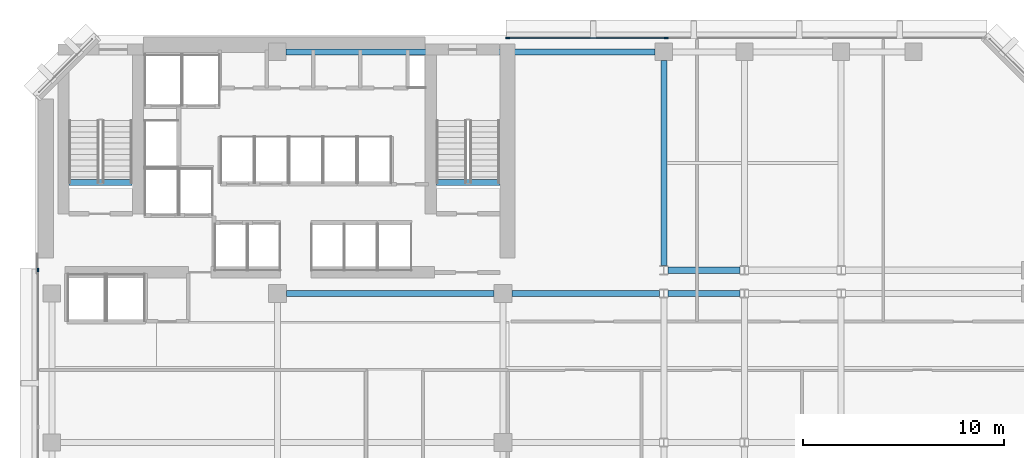
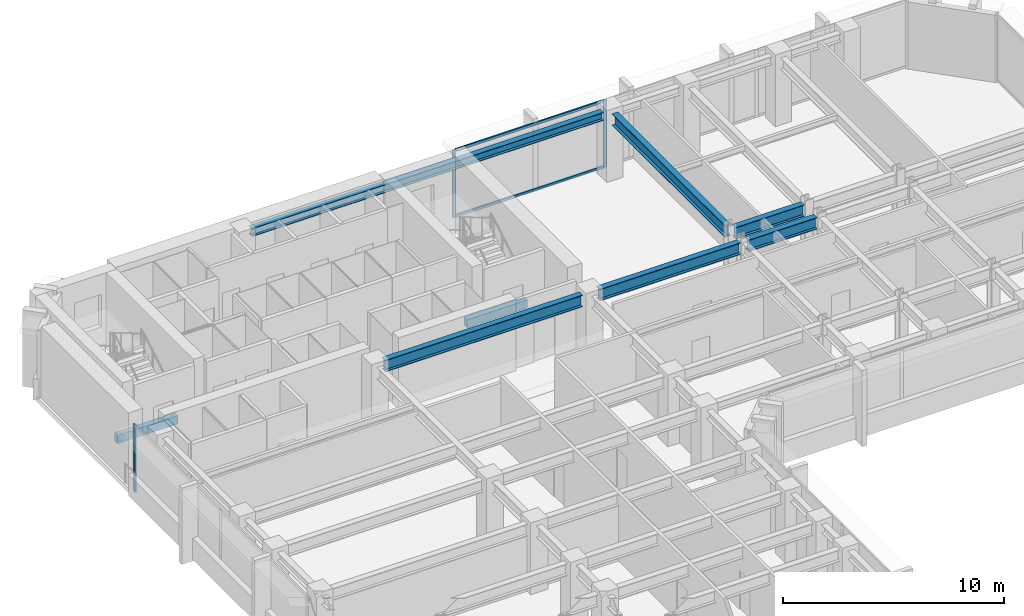
# One storey, part 4 of 12: 8 beams, 5 members, 2 elements without a shape of their own.
"""IFC4 building model written with IfcOpenShell, lengths in metres."""

from ifc_helpers import new_model, si_unit, direction, frame, origin, origin_2d, place, context, subcontext, project, spatial, rectangle, i_section, extrude, material, layer, layer_set, material_profile, profile_set, type_object, element, aggregate, save


model = new_model("IFC4")

# Units and contexts
model_context = context("Model", 3, precision=1e-05, world=origin(), true_north=direction((0.0, 1.0)))
body_context = subcontext(model_context, "Body", "Model", "MODEL_VIEW")
ifc_project = project(units=[si_unit("LENGTHUNIT", "METRE"), si_unit("AREAUNIT", "SQUARE_METRE"), si_unit("VOLUMEUNIT", "CUBIC_METRE"), si_unit("PLANEANGLEUNIT", "RADIAN"), si_unit("MASSUNIT", "GRAM", prefix="KILO")], contexts=[model_context])

# Site, building, storey
site_placement = place(None, origin())
site = spatial("IfcSite", under=ifc_project, at=site_placement, CompositionType="ELEMENT")
building_placement = place(site_placement, origin())
building = spatial("IfcBuilding", under=site, at=building_placement, Name="Kefirva Bronze Tower", CompositionType="ELEMENT")
storey_placement = place(building_placement, frame((0.0, 0.0, 118.469970703125)))
storey = spatial("IfcBuildingStorey", under=building, at=storey_placement, Name="L28", CompositionType="ELEMENT", Elevation=118.469970703125)

# Curtain wall, members
ifc_material_1 = material(Name="Bronze anodised aluminium", Category="aluminium")
ifc_layer = layer(ifc_material_1, 0.199951171875, Name="Bronze anodised aluminium")
ifc_layer_set = layer_set([ifc_layer], Name="Bronze anodised aluminium")
curtain_wall_type = type_object("IfcCurtainWallType", Name="Unitised Bronze Ribbon Curtain Wall Zone 2", PredefinedType="USERDEFINED", material=ifc_layer_set)
curtain_wall_1_placement = place(storey_placement, origin())
curtain_wall_1 = element("IfcCurtainWall", 1, at=curtain_wall_1_placement, inside=storey, type_object=curtain_wall_type, Name="L28 Curtain Wall 4", ObjectType="UNITISED CURTAIN WALL", PredefinedType="USERDEFINED")
ifc_material_profile_1 = material_profile(ifc_material_1, rectangle(XDim=0.074951171875, YDim=0.179931640625, at=origin_2d()), Name="ALU 75x180")
ifc_profile_set_1 = profile_set([ifc_material_profile_1], Name="Bronze anodised aluminium")
member_type_1 = type_object("IfcMemberType", Name="Bronze Mullion 75x180", PredefinedType="MULLION", material=ifc_profile_set_1)
member_1_placement = place(storey_placement, frame((31.318359375, 45.8798828125, 0.0), z_axis=(0.0, 0.0, 1.0), x_axis=(0.0, -1.0, 0.0)))
member_1 = element("IfcMember", 2, at=member_1_placement, type_object=member_type_1, Name="CW-02 mullion 3", PredefinedType="MULLION", context=body_context, shape_type="SweptSolid", body=[
    extrude(rectangle(XDim=0.074951171875, YDim=0.179931640625, at=origin_2d()), origin(), (0.0, 0.0, 1.0), 3.7099609375),
])
member_2_placement = place(storey_placement, frame((23.4423828125, 45.8798828125, 0.0), z_axis=(0.0, 0.0, 1.0), x_axis=(0.0, -1.0, 0.0)))
member_2 = element("IfcMember", 3, at=member_2_placement, type_object=member_type_1, Name="CW-02 mullion 4", PredefinedType="MULLION", context=body_context, shape_type="SweptSolid", body=[
    extrude(rectangle(XDim=0.074951171875, YDim=0.179931640625, at=origin_2d()), origin(), (0.0, 0.0, 1.0), 3.7099609375),
])

# Curtain wall, member
curtain_wall_2_placement = place(storey_placement, origin())
curtain_wall_2 = element("IfcCurtainWall", 4, at=curtain_wall_2_placement, inside=storey, type_object=curtain_wall_type, Name="L28 Curtain Wall 5", ObjectType="UNITISED CURTAIN WALL", PredefinedType="USERDEFINED")
member_3_placement = place(storey_placement, frame((0.1201171875, 34.357421875, 0.0), z_axis=(0.0, 0.0, 1.0), x_axis=(1.0, 0.0, 0.0)))
member_3 = element("IfcMember", 5, at=member_3_placement, type_object=member_type_1, Name="CW-02 mullion 1", PredefinedType="MULLION", context=body_context, shape_type="SweptSolid", body=[
    extrude(rectangle(XDim=0.074951171875, YDim=0.179931640625, at=origin_2d()), origin(), (0.0, 0.0, 1.0), 3.7099609375),
])
aggregate(curtain_wall_2, [member_3])

# Member
ifc_material_profile_2 = material_profile(ifc_material_1, rectangle(XDim=0.074951171875, YDim=0.14990234375, at=origin_2d()), Name="ALU 75x150")
ifc_profile_set_2 = profile_set([ifc_material_profile_2], Name="Bronze anodised aluminium")
member_type_2 = type_object("IfcMemberType", Name="Bronze Transom 75x150", PredefinedType="USERDEFINED", material=ifc_profile_set_2)
member_4_placement = place(storey_placement, frame((31.28076171875, 45.8798828125, 0.03759765625), z_axis=(-1.0, 0.0, 0.0), x_axis=(0.0, -1.0, 0.0)))
member_4 = element("IfcMember", 6, at=member_4_placement, type_object=member_type_2, Name="CW-02 transom 3.1", ObjectType="TRANSOM", PredefinedType="USERDEFINED", context=body_context, shape_type="SweptSolid", body=[
    extrude(rectangle(XDim=0.074951171875, YDim=0.14990234375, at=origin_2d()), origin(), (0.0, 0.0, 1.0), 7.80078125),
])

member_5_placement = place(storey_placement, frame((31.28076171875, 45.8798828125, 3.672607421875), z_axis=(-1.0, 0.0, 0.0), x_axis=(0.0, -1.0, 0.0)))
member_5 = element("IfcMember", 7, at=member_5_placement, type_object=member_type_2, Name="CW-02 transom 3.2", ObjectType="TRANSOM", PredefinedType="USERDEFINED", context=body_context, shape_type="SweptSolid", body=[
    extrude(rectangle(XDim=0.074951171875, YDim=0.14990234375, at=origin_2d()), origin(), (0.0, 0.0, 1.0), 7.80078125),
])

aggregate(curtain_wall_1, [member_1, member_2, member_4, member_5])

# Beams
ifc_material_2 = material(Name="Concrete C50/60", Category="concrete")
ifc_material_profile_3 = material_profile(ifc_material_2, rectangle(XDim=0.300048828125, YDim=0.449951171875, at=origin_2d()), Name="RC 300x450")
ifc_profile_set_3 = profile_set([ifc_material_profile_3], Name="Concrete C50/60")
beam_type_1 = type_object("IfcBeamType", Name="RC Stair Trimmer Beam 300x450", PredefinedType="BEAM", material=ifc_profile_set_3)
beam_1_placement = place(storey_placement, frame((1.64501953125, 38.699951171875, -0.224853515625), z_axis=(1.0, 0.0, 0.0), x_axis=(0.0, 1.0, 0.0)))
element("IfcBeam", 8, at=beam_1_placement, inside=storey, type_object=beam_type_1, Name="L28 Stair 1 Landing Trimmer Beam", PredefinedType="BEAM", context=body_context, shape_type="SweptSolid", body=[
    extrude(rectangle(XDim=0.300048828125, YDim=0.449951171875, at=origin_2d()), origin(), (0.0, 0.0, 1.0), 3.14990234375),
])
beam_2_placement = place(storey_placement, frame((19.89501953125, 38.699951171875, -0.224853515625), z_axis=(1.0, 0.0, 0.0), x_axis=(0.0, 1.0, 0.0)))
element("IfcBeam", 9, at=beam_2_placement, inside=storey, type_object=beam_type_1, Name="L28 Stair 2 Landing Trimmer Beam", PredefinedType="BEAM", context=body_context, shape_type="SweptSolid", body=[
    extrude(rectangle(XDim=0.300048828125, YDim=0.449951171875, at=origin_2d()), origin(), (0.0, 0.0, 1.0), 3.159912109375),
])
ifc_material_3 = material(Name="Steel S355", Category="steel")
ifc_material_profile_4 = material_profile(ifc_material_3, i_section(OverallWidth=0.300048828125, OverallDepth=0.64990234375, WebThickness=0.01611328125, FlangeThickness=0.031005859375, at=origin_2d()), Name="HEB 650")
ifc_profile_set_4 = profile_set([ifc_material_profile_4], Name="Steel S355")
beam_type_2 = type_object("IfcBeamType", Name="Steel Girder HEB 650", PredefinedType="USERDEFINED", material=ifc_profile_set_4)
beam_3_placement = place(storey_placement, frame((12.449951171875, 33.199951171875, 3.385009765625), z_axis=(1.0, 0.0, 0.0), x_axis=(0.0, 1.0, 0.0)))
element("IfcBeam", 10, at=beam_3_placement, inside=storey, type_object=beam_type_2, Name="L28 BM-L28-EW-12-332", ObjectType="GIRDER", PredefinedType="USERDEFINED", context=body_context, shape_type="SweptSolid", body=[
    extrude(i_section(OverallWidth=0.300048828125, OverallDepth=0.64990234375, WebThickness=0.01611328125, FlangeThickness=0.031005859375, at=origin_2d()), origin(), (0.0, 0.0, 1.0), 10.300048828125),
])
beam_4_placement = place(storey_placement, frame((23.64990234375, 33.199951171875, 3.385009765625), z_axis=(1.0, 0.0, 0.0), x_axis=(0.0, 1.0, 0.0)))
element("IfcBeam", 11, at=beam_4_placement, inside=storey, type_object=beam_type_2, Name="L28 BM-L28-EW-23-332", ObjectType="GIRDER", PredefinedType="USERDEFINED", context=body_context, shape_type="SweptSolid", body=[
    extrude(i_section(OverallWidth=0.300048828125, OverallDepth=0.64990234375, WebThickness=0.01611328125, FlangeThickness=0.031005859375, at=origin_2d()), origin(), (0.0, 0.0, 1.0), 7.341064453125),
])
for number, where, z_axis, x_axis, name in (
    (12, (31.408935546875, 33.199951171875, 3.385009765625), (1.0, 0.0, 0.0), (0.0, 1.0, 0.0), "L28 BM-L28-EW-31-332"),
    (13, (31.408935546875, 34.35009765625, 3.385009765625), (1.0, 0.0, 0.0), (0.0, 1.0, 0.0), "L28 BM-L28-EW-31-344"),
):
    element("IfcBeam", number, at=place(storey_placement, frame(where, z_axis=z_axis, x_axis=x_axis)), inside=storey, type_object=beam_type_2, Name=name, ObjectType="GIRDER", PredefinedType="USERDEFINED", context=body_context, shape_type="SweptSolid", body=[
        extrude(i_section(OverallWidth=0.300048828125, OverallDepth=0.64990234375, WebThickness=0.01611328125, FlangeThickness=0.031005859375, at=origin_2d()), origin(), (0.0, 0.0, 1.0), 3.58203125),
    ])
beam_5_placement = place(storey_placement, frame((31.199951171875, 34.577392578125, 3.385009765625), z_axis=(0.0, 1.0, 0.0), x_axis=(-1.0, 0.0, 0.0)))
element("IfcBeam", 14, at=beam_5_placement, inside=storey, type_object=beam_type_2, Name="L28 BM-L28-NS-312-34", ObjectType="GIRDER", PredefinedType="USERDEFINED", context=body_context, shape_type="SweptSolid", body=[
    extrude(i_section(OverallWidth=0.300048828125, OverallDepth=0.64990234375, WebThickness=0.01611328125, FlangeThickness=0.031005859375, at=origin_2d()), origin(), (0.0, 0.0, 1.0), 10.192626953125),
])
ifc_material_profile_5 = material_profile(ifc_material_3, i_section(OverallWidth=0.300048828125, OverallDepth=0.449951171875, WebThickness=0.013916015625, FlangeThickness=0.02587890625, at=origin_2d()), Name="HEB 450")
ifc_profile_set_5 = profile_set([ifc_material_profile_5], Name="Steel S355")
beam_type_3 = type_object("IfcBeamType", Name="Steel Spandrel HEB 450 Ext", PredefinedType="SPANDREL", material=ifc_profile_set_5)
beam_6_placement = place(storey_placement, frame((12.429931640625, 45.199951171875, 3.485107421875), z_axis=(1.0, 0.0, 0.0), x_axis=(0.0, 1.0, 0.0)))
element("IfcBeam", 15, at=beam_6_placement, inside=storey, type_object=beam_type_3, Name="L28 BM-L28-EW-12-452", PredefinedType="SPANDREL", context=body_context, shape_type="SweptSolid", body=[
    extrude(i_section(OverallWidth=0.300048828125, OverallDepth=0.449951171875, WebThickness=0.013916015625, FlangeThickness=0.02587890625, at=origin_2d()), origin(), (0.0, 0.0, 1.0), 18.340087890625),
])

save(model, "model.ifc")
